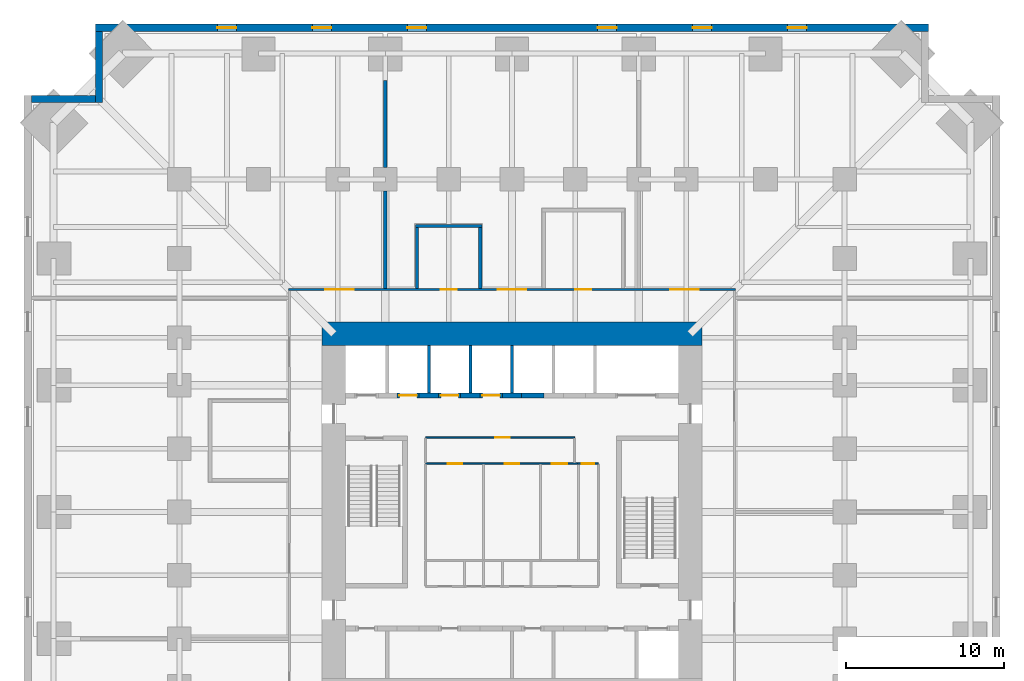
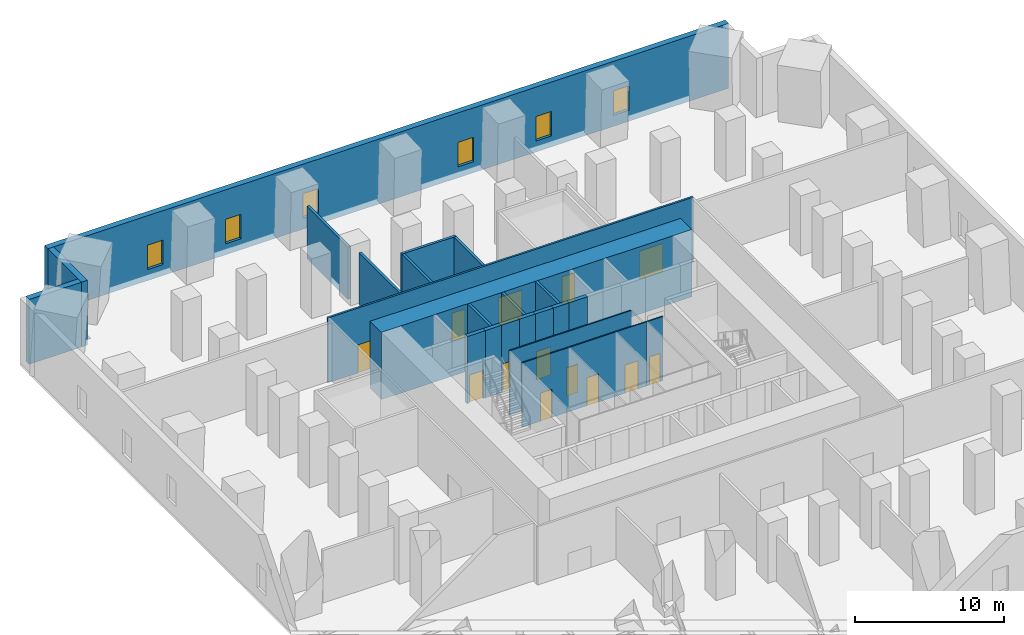
# One storey, part 6 of 8: 23 walls, 13 doors, 6 windows, 19 openings.
"""IFC4 building model written with IfcOpenShell, lengths in metres."""

import ifcopenshell
import ifcopenshell.guid

model = None  # the IFC model being written
_history = None  # IfcOwnerHistory: only IFC2X3 demands one
_inside = {}  # id of a spatial element -> (the spatial element, [elements in it])
_under = {}  # id of a project, library or spatial element -> (it, [spatial elements below it])
_declared = {}  # id of a project -> (the project, [libraries it declares])
_typed = {}  # id of a type object -> (the type object, [elements of that type])
_made_of = {}  # id of a material, layer set ... -> (it, [elements and type objects made of it])


def new_model(schema):
    """Start an empty IFC model of exactly this schema.

    Asked for "IFC4X3", IfcOpenShell would pick the latest addendum, in which some entities
    have other attributes; the version numbers below select the first issue.
    IFC2X3 requires an IfcOwnerHistory on every rooted entity: one is made here for all.
    """
    global model, _history
    if schema == "IFC4X3":
        model = ifcopenshell.file(schema_version=(4, 3, 0, 0))
    else:
        model = ifcopenshell.file(schema=schema)
    _inside.clear()
    _under.clear()
    _declared.clear()
    _typed.clear()
    _made_of.clear()
    _history = None
    if model.schema == "IFC2X3":
        org = make("IfcOrganization", Name="unknown")
        user = make(
            "IfcPersonAndOrganization",
            ThePerson=make("IfcPerson", FamilyName="unknown"),
            TheOrganization=org,
        )
        app = make(
            "IfcApplication",
            ApplicationDeveloper=org,
            Version="unknown",
            ApplicationFullName="unknown",
            ApplicationIdentifier="unknown",
        )
        _history = make(
            "IfcOwnerHistory",
            OwningUser=user,
            OwningApplication=app,
            ChangeAction="ADDED",
            CreationDate=0,
        )
    return model


def make(cls, **values):
    """One entity of the class cls with the attributes given. An attribute that is None is left unset."""
    return model.create_entity(
        cls, **{name: value for name, value in values.items() if value is not None}
    )


def rooted(cls, **values):
    """An entity with a GlobalId (a new one), such as an element, a storey or a relation."""
    return make(cls, GlobalId=ifcopenshell.guid.new(), OwnerHistory=_history, **values)


def si_unit(unit_type, name, prefix=None):
    """IfcSIUnit, for example si_unit("LENGTHUNIT", "METRE", prefix="MILLI")."""
    return make("IfcSIUnit", UnitType=unit_type, Prefix=prefix, Name=name)


def assignment(units):
    """IfcUnitAssignment: the units of a project."""
    return None if units is None else make("IfcUnitAssignment", Units=units)


def point(xyz):
    """IfcCartesianPoint."""
    return None if xyz is None else make("IfcCartesianPoint", Coordinates=xyz)


def direction(xyz):
    """IfcDirection."""
    return None if xyz is None else make("IfcDirection", DirectionRatios=xyz)


def frame(location, z_axis=None, x_axis=None):
    """IfcAxis2Placement3D, a coordinate frame: its origin and axes. An axis left out is left unset."""
    return make(
        "IfcAxis2Placement3D",
        Location=point(location),
        Axis=direction(z_axis),
        RefDirection=direction(x_axis),
    )


def frame_2d(location, x_axis=None):
    """IfcAxis2Placement2D, a coordinate frame in the plane: its origin and x axis."""
    return make(
        "IfcAxis2Placement2D", Location=point(location), RefDirection=direction(x_axis)
    )


def origin():
    """The frame at (0, 0, 0) with its axes left unset."""
    return frame((0.0, 0.0, 0.0))


def place(relative_to, where):
    """IfcLocalPlacement: puts the frame where relative to a parent placement (None: the world)."""
    return make(
        "IfcLocalPlacement", PlacementRelTo=relative_to, RelativePlacement=where
    )


def context(
    kind, dimensions, precision=None, world=None, true_north=None, identifier=None
):
    """IfcGeometricRepresentationContext, for example the 3D "Model" context."""
    return make(
        "IfcGeometricRepresentationContext",
        ContextIdentifier=identifier,
        ContextType=kind,
        CoordinateSpaceDimension=dimensions,
        Precision=precision,
        WorldCoordinateSystem=world,
        TrueNorth=true_north,
    )


def subcontext(parent, identifier, kind, view, scale=None):
    """IfcGeometricRepresentationSubContext, for example "Body" below "Model"."""
    return make(
        "IfcGeometricRepresentationSubContext",
        ContextIdentifier=identifier,
        ContextType=kind,
        ParentContext=parent,
        TargetScale=scale,
        TargetView=view,
    )


def project(units=None, contexts=None):
    """IfcProject with its units and contexts."""
    return rooted(
        "IfcProject",
        Name="project",
        RepresentationContexts=contexts,
        UnitsInContext=assignment(units),
    )


def spatial(cls, under=None, at=None, **own):
    """A site, building, storey or space (cls), placed at a placement, below another one or the project."""
    s = rooted(cls, ObjectPlacement=at, **own)
    if under is not None:
        _under.setdefault(under.id(), (under, []))[1].append(s)
    return s


def profile(cls, at=None, kind="AREA", **sizes):
    """A parametric profile (cls). Its sizes go by their IFC names, for example OverallWidth=200.0."""
    return make(cls, ProfileType=kind, Position=at, **sizes)


def rectangle(**sizes):
    """IfcRectangleProfileDef."""
    return profile("IfcRectangleProfileDef", **sizes)


def extrude(swept, where, along, depth):
    """IfcExtrudedAreaSolid: the profile swept, set in the frame where, extruded along a direction by depth."""
    return make(
        "IfcExtrudedAreaSolid",
        SweptArea=swept,
        Position=where,
        ExtrudedDirection=direction(along),
        Depth=depth,
    )


def shape(context_of_items, identifier, shape_type, items):
    """IfcShapeRepresentation: the items that make up one representation, for example the "Body"."""
    return make(
        "IfcShapeRepresentation",
        ContextOfItems=context_of_items,
        RepresentationIdentifier=identifier,
        RepresentationType=shape_type,
        Items=items,
    )


def material(Name=None, Category=None):
    """IfcMaterial."""
    return make("IfcMaterial", Name=Name, Category=Category)


def layer(
    of_material, thickness, ventilated=None, Name=None, Category=None, Priority=None
):
    """IfcMaterialLayer: one layer of a wall or slab, of a material (None: an air gap)."""
    return make(
        "IfcMaterialLayer",
        Material=of_material,
        LayerThickness=thickness,
        IsVentilated=ventilated,
        Name=Name,
        Category=Category,
        Priority=Priority,
    )


def layer_set(layers, Name=None):
    """IfcMaterialLayerSet."""
    return make("IfcMaterialLayerSet", MaterialLayers=layers, LayerSetName=Name)


def made_of(thing, what):
    """Note that an element or type object is made of a material, layer set ...; save() writes the relation."""
    if what is not None:
        _made_of.setdefault(what.id(), (what, []))[1].append(thing)
    return thing


def type_object(cls, material=None, **own):
    """A type object (cls), such as IfcWallType, which elements share."""
    return made_of(rooted(cls, **own), material)


def element(
    cls,
    number,
    at=None,
    inside=None,
    cuts=None,
    type_object=None,
    material=None,
    context=None,
    identifier="Body",
    shape_type=None,
    held_by="IfcProductDefinitionShape",
    body=None,
    shapes=None,
    **own,
):
    """One element of the class cls, such as IfcWall. Its Tag is "e" and its number.

    at: its placement. inside: the storey or other place that contains it. cuts: it is an
    opening in that element (IfcRelVoidsElement). A single representation is given by context,
    identifier, shape_type and body (its items); several are given by shapes. held_by: the class
    of the entity that holds the representations. save() writes the other relations.
    """
    e = rooted(cls, Tag="e%d" % number, ObjectPlacement=at, **own)
    if body is not None:
        shapes = [shape(context, identifier, shape_type, body)]
    if shapes is not None:
        e.Representation = make(held_by, Representations=shapes)
    if inside is not None:
        _inside.setdefault(inside.id(), (inside, []))[1].append(e)
    if cuts is not None:
        rooted(
            "IfcRelVoidsElement", RelatingBuildingElement=cuts, RelatedOpeningElement=e
        )
    if type_object is not None:
        _typed.setdefault(type_object.id(), (type_object, []))[1].append(e)
    return made_of(e, material)


def fill(opening, filler):
    """IfcRelFillsElement: the door or window that sits in an opening."""
    return rooted(
        "IfcRelFillsElement",
        RelatingOpeningElement=opening,
        RelatedBuildingElement=filler,
    )


def aggregate(whole, parts):
    """IfcRelAggregates: a whole, such as a stair, and the parts it consists of."""
    return rooted("IfcRelAggregates", RelatingObject=whole, RelatedObjects=parts)


def save(model, path):
    """Write the relations noted so far, then the file.

    IfcRelAggregates (storeys below a building ...), IfcRelContainedInSpatialStructure (elements
    in a storey), IfcRelDefinesByType, IfcRelAssociatesMaterial and IfcRelDeclares: one each for
    every whole, place, type object, material and project.
    """
    for whole, parts in _under.values():
        aggregate(whole, parts)
    for where, things in _inside.values():
        rooted(
            "IfcRelContainedInSpatialStructure",
            RelatedElements=things,
            RelatingStructure=where,
        )
    for kind, things in _typed.values():
        rooted("IfcRelDefinesByType", RelatedObjects=things, RelatingType=kind)
    for what, things in _made_of.values():
        rooted("IfcRelAssociatesMaterial", RelatedObjects=things, RelatingMaterial=what)
    for by, libraries in _declared.values():
        rooted("IfcRelDeclares", RelatingContext=by, RelatedDefinitions=libraries)
    model.write(path)


model = new_model("IFC4")

# Units and contexts
model_context = context("Model", 3, precision=1e-05, world=origin(), true_north=direction((0.0, 1.0)))
body_context = subcontext(model_context, "Body", "Model", "MODEL_VIEW")
ifc_project = project(units=[si_unit("LENGTHUNIT", "METRE"), si_unit("AREAUNIT", "SQUARE_METRE"), si_unit("VOLUMEUNIT", "CUBIC_METRE"), si_unit("PLANEANGLEUNIT", "RADIAN"), si_unit("MASSUNIT", "GRAM", prefix="KILO")], contexts=[model_context])

# Site, building, storey
site_placement = place(None, origin())
site = spatial("IfcSite", under=ifc_project, at=site_placement, CompositionType="ELEMENT")
building_placement = place(site_placement, origin())
building = spatial("IfcBuilding", under=site, at=building_placement, Name="Peilmerk Tower", CompositionType="ELEMENT")
storey_placement = place(building_placement, frame((0.0, 0.0, 48.5)))
storey = spatial("IfcBuildingStorey", under=building, at=storey_placement, Name="L09", CompositionType="ELEMENT", Elevation=48.5)

# Wall, openings, windows
ifc_material_1 = material(Name="Precast concrete C45/55, board-marked finish", Category="concrete")
ifc_layer_1 = layer(ifc_material_1, 0.449951171875)
ifc_layer_set_1 = layer_set([ifc_layer_1], Name="Precast concrete C45/55, board-marked finish")
wall_type_1 = type_object("IfcWallType", Name="EW1 450 precast concrete facade wall, board-marked", PredefinedType="SOLIDWALL", material=ifc_layer_set_1)
wall_1_placement = place(storey_placement, frame((26.300048828125, 30.574951171875, 0.0), z_axis=(0.0, 0.0, 1.0), x_axis=(-1.0, 0.0, 0.0)))
wall_1 = element("IfcWall", 1, at=wall_1_placement, inside=storey, type_object=wall_type_1, Name="Facade wall N L09", PredefinedType="SOLIDWALL", context=body_context, shape_type="SweptSolid", body=[
    extrude(rectangle(XDim=52.60009765625, YDim=0.449951171875, at=frame_2d((26.300048828125, 0.0))), origin(), (0.0, 0.0, 1.0), 5.300048828125),
])
opening_1_placement = place(wall_1_placement, frame((7.699951171875, 0.0, 0.89990234375)))
opening_1 = element("IfcOpeningElement", 2, at=opening_1_placement, cuts=wall_1, Name="Opening W2", PredefinedType="OPENING", context=body_context, shape_type="SweptSolid", body=[
    extrude(rectangle(XDim=1.199951171875, YDim=2.0, at=frame_2d((0.60009765625, 1.0))), frame((0.0, 0.23486328125, 0.0), z_axis=(0.0, -1.0, 0.0), x_axis=(1.0, 0.0, 0.0)), (0.0, 0.0, 1.0), 0.469970703125),
])
opening_2_placement = place(wall_1_placement, frame((13.699951171875, 0.0, 0.89990234375)))
opening_2 = element("IfcOpeningElement", 3, at=opening_2_placement, cuts=wall_1, Name="Opening W2", PredefinedType="OPENING", context=body_context, shape_type="SweptSolid", body=[
    extrude(rectangle(XDim=1.199951171875, YDim=2.0, at=frame_2d((0.60009765625, 1.0))), frame((0.0, 0.23486328125, 0.0), z_axis=(0.0, -1.0, 0.0), x_axis=(1.0, 0.0, 0.0)), (0.0, 0.0, 1.0), 0.469970703125),
])
opening_3_placement = place(wall_1_placement, frame((19.699951171875, 0.0, 0.89990234375)))
opening_3 = element("IfcOpeningElement", 4, at=opening_3_placement, cuts=wall_1, Name="Opening W2", PredefinedType="OPENING", context=body_context, shape_type="SweptSolid", body=[
    extrude(rectangle(XDim=1.199951171875, YDim=2.0, at=frame_2d((0.60009765625, 1.0))), frame((0.0, 0.23486328125, 0.0), z_axis=(0.0, -1.0, 0.0), x_axis=(1.0, 0.0, 0.0)), (0.0, 0.0, 1.0), 0.469970703125),
])
opening_4_placement = place(wall_1_placement, frame((31.699951171875, 0.0, 0.89990234375)))
opening_4 = element("IfcOpeningElement", 5, at=opening_4_placement, cuts=wall_1, Name="Opening W2", PredefinedType="OPENING", context=body_context, shape_type="SweptSolid", body=[
    extrude(rectangle(XDim=1.199951171875, YDim=2.0, at=frame_2d((0.60009765625, 1.0))), frame((0.0, 0.23486328125, 0.0), z_axis=(0.0, -1.0, 0.0), x_axis=(1.0, 0.0, 0.0)), (0.0, 0.0, 1.0), 0.469970703125),
])
opening_5_placement = place(wall_1_placement, frame((37.699951171875, 0.0, 0.89990234375)))
opening_5 = element("IfcOpeningElement", 6, at=opening_5_placement, cuts=wall_1, Name="Opening W2", PredefinedType="OPENING", context=body_context, shape_type="SweptSolid", body=[
    extrude(rectangle(XDim=1.199951171875, YDim=2.0, at=frame_2d((0.60009765625, 1.0))), frame((0.0, 0.23486328125, 0.0), z_axis=(0.0, -1.0, 0.0), x_axis=(1.0, 0.0, 0.0)), (0.0, 0.0, 1.0), 0.469970703125),
])
opening_6_placement = place(wall_1_placement, frame((43.699951171875, 0.0, 0.89990234375)))
opening_6 = element("IfcOpeningElement", 7, at=opening_6_placement, cuts=wall_1, Name="Opening W2", PredefinedType="OPENING", context=body_context, shape_type="SweptSolid", body=[
    extrude(rectangle(XDim=1.199951171875, YDim=2.0, at=frame_2d((0.60009765625, 1.0))), frame((0.0, 0.23486328125, 0.0), z_axis=(0.0, -1.0, 0.0), x_axis=(1.0, 0.0, 0.0)), (0.0, 0.0, 1.0), 0.469970703125),
])
ifc_material_2 = material(Name="Aluminium frame, clear double glazing", Category="aluminium")
window_type = type_object("IfcWindowType", Name="W2 1200x2000 data hall slot window", PartitioningType="SINGLE_PANEL", PredefinedType="WINDOW", material=ifc_material_2)
window_1_placement = place(opening_1_placement, origin())
window_1 = element("IfcWindow", 8, at=window_1_placement, inside=storey, type_object=window_type, Name="Window W2 L09", OverallHeight=2.0, OverallWidth=1.199951171875, PartitioningType="SINGLE_PANEL", PredefinedType="WINDOW", context=body_context, shape_type="SweptSolid", body=[
    extrude(rectangle(XDim=1.199951171875, YDim=2.0, at=frame_2d((0.60009765625, 1.0))), frame((0.0, 0.030029296875, 0.0), z_axis=(0.0, -1.0, 0.0), x_axis=(1.0, 0.0, 0.0)), (0.0, 0.0, 1.0), 0.06005859375),
])
fill(opening_1, window_1)
window_2_placement = place(opening_2_placement, origin())
window_2 = element("IfcWindow", 9, at=window_2_placement, inside=storey, type_object=window_type, Name="Window W2 L09", OverallHeight=2.0, OverallWidth=1.199951171875, PartitioningType="SINGLE_PANEL", PredefinedType="WINDOW", context=body_context, shape_type="SweptSolid", body=[
    extrude(rectangle(XDim=1.199951171875, YDim=2.0, at=frame_2d((0.60009765625, 1.0))), frame((0.0, 0.030029296875, 0.0), z_axis=(0.0, -1.0, 0.0), x_axis=(1.0, 0.0, 0.0)), (0.0, 0.0, 1.0), 0.06005859375),
])
fill(opening_2, window_2)
window_3_placement = place(opening_3_placement, origin())
window_3 = element("IfcWindow", 10, at=window_3_placement, inside=storey, type_object=window_type, Name="Window W2 L09", OverallHeight=2.0, OverallWidth=1.199951171875, PartitioningType="SINGLE_PANEL", PredefinedType="WINDOW", context=body_context, shape_type="SweptSolid", body=[
    extrude(rectangle(XDim=1.199951171875, YDim=2.0, at=frame_2d((0.60009765625, 1.0))), frame((0.0, 0.030029296875, 0.0), z_axis=(0.0, -1.0, 0.0), x_axis=(1.0, 0.0, 0.0)), (0.0, 0.0, 1.0), 0.06005859375),
])
fill(opening_3, window_3)
window_4_placement = place(opening_4_placement, origin())
window_4 = element("IfcWindow", 11, at=window_4_placement, inside=storey, type_object=window_type, Name="Window W2 L09", OverallHeight=2.0, OverallWidth=1.199951171875, PartitioningType="SINGLE_PANEL", PredefinedType="WINDOW", context=body_context, shape_type="SweptSolid", body=[
    extrude(rectangle(XDim=1.199951171875, YDim=2.0, at=frame_2d((0.60009765625, 1.0))), frame((0.0, 0.030029296875, 0.0), z_axis=(0.0, -1.0, 0.0), x_axis=(1.0, 0.0, 0.0)), (0.0, 0.0, 1.0), 0.06005859375),
])
fill(opening_4, window_4)
window_5_placement = place(opening_5_placement, origin())
window_5 = element("IfcWindow", 12, at=window_5_placement, inside=storey, type_object=window_type, Name="Window W2 L09", OverallHeight=2.0, OverallWidth=1.199951171875, PartitioningType="SINGLE_PANEL", PredefinedType="WINDOW", context=body_context, shape_type="SweptSolid", body=[
    extrude(rectangle(XDim=1.199951171875, YDim=2.0, at=frame_2d((0.60009765625, 1.0))), frame((0.0, 0.030029296875, 0.0), z_axis=(0.0, -1.0, 0.0), x_axis=(1.0, 0.0, 0.0)), (0.0, 0.0, 1.0), 0.06005859375),
])
fill(opening_5, window_5)
window_6_placement = place(opening_6_placement, origin())
window_6 = element("IfcWindow", 13, at=window_6_placement, inside=storey, type_object=window_type, Name="Window W2 L09", OverallHeight=2.0, OverallWidth=1.199951171875, PartitioningType="SINGLE_PANEL", PredefinedType="WINDOW", context=body_context, shape_type="SweptSolid", body=[
    extrude(rectangle(XDim=1.199951171875, YDim=2.0, at=frame_2d((0.60009765625, 1.0))), frame((0.0, 0.030029296875, 0.0), z_axis=(0.0, -1.0, 0.0), x_axis=(1.0, 0.0, 0.0)), (0.0, 0.0, 1.0), 0.06005859375),
])
fill(opening_6, window_6)

# Walls
wall_2_placement = place(storey_placement, frame((-26.074951171875, 25.85009765625, 0.0), z_axis=(0.0, 0.0, 1.0), x_axis=(0.0, 1.0, 0.0)))
element("IfcWall", 14, at=wall_2_placement, inside=storey, type_object=wall_type_1, Name="Facade wall NWA L09", PredefinedType="SOLIDWALL", context=body_context, shape_type="SweptSolid", body=[
    extrude(rectangle(XDim=4.5, YDim=0.449951171875, at=frame_2d((2.25, 0.0))), origin(), (0.0, 0.0, 1.0), 5.300048828125),
])
wall_3_placement = place(storey_placement, frame((-26.300048828125, 26.074951171875, 0.0), z_axis=(0.0, 0.0, 1.0), x_axis=(-1.0, 0.0, 0.0)))
element("IfcWall", 15, at=wall_3_placement, inside=storey, type_object=wall_type_1, Name="Facade wall NWB L09", PredefinedType="SOLIDWALL", context=body_context, shape_type="SweptSolid", body=[
    extrude(rectangle(XDim=4.050048828125, YDim=0.449951171875, at=frame_2d((2.02490234375, 0.0))), origin(), (0.0, 0.0, 1.0), 5.300048828125),
])

# Wall, openings, doors
ifc_material_3 = material(Name="Calcium silicate block", Category="masonry")
ifc_layer_2 = layer(ifc_material_3, 0.14990234375)
ifc_layer_set_2 = layer_set([ifc_layer_2], Name="Calcium silicate block")
wall_type_2 = type_object("IfcWallType", Name="IW1 150 corridor partition, EI 60", PredefinedType="PARTITIONING", material=ifc_layer_set_2)
wall_4_placement = place(storey_placement, frame((-14.125, 14.050048828125, 0.0), z_axis=(0.0, 0.0, 1.0), x_axis=(1.0, 0.0, 0.0)))
wall_4 = element("IfcWall", 16, at=wall_4_placement, inside=storey, type_object=wall_type_2, Name="Corridor wall N L09", PredefinedType="PARTITIONING", context=body_context, shape_type="SweptSolid", body=[
    extrude(rectangle(XDim=28.25, YDim=0.14990234375, at=frame_2d((14.125, 0.0))), origin(), (0.0, 0.0, 1.0), 5.300048828125),
])
opening_7_placement = place(wall_4_placement, frame((2.324951171875, 0.0, 0.0)))
opening_7 = element("IfcOpeningElement", 17, at=opening_7_placement, cuts=wall_4, Name="Opening D2", PredefinedType="OPENING", context=body_context, shape_type="SweptSolid", body=[
    extrude(rectangle(XDim=1.800048828125, YDim=2.300048828125, at=frame_2d((0.89990234375, 1.14990234375))), frame((0.0, 0.0849609375, 0.0), z_axis=(0.0, -1.0, 0.0), x_axis=(1.0, 0.0, 0.0)), (0.0, 0.0, 1.0), 0.169921875),
])
opening_8_placement = place(wall_4_placement, frame((13.22509765625, 0.0, 0.0)))
opening_8 = element("IfcOpeningElement", 18, at=opening_8_placement, cuts=wall_4, Name="Opening D2", PredefinedType="OPENING", context=body_context, shape_type="SweptSolid", body=[
    extrude(rectangle(XDim=1.800048828125, YDim=2.300048828125, at=frame_2d((0.89990234375, 1.14990234375))), frame((0.0, 0.0849609375, 0.0), z_axis=(0.0, -1.0, 0.0), x_axis=(1.0, 0.0, 0.0)), (0.0, 0.0, 1.0), 0.169921875),
])
opening_9_placement = place(wall_4_placement, frame((24.125, 0.0, 0.0)))
opening_9 = element("IfcOpeningElement", 19, at=opening_9_placement, cuts=wall_4, Name="Opening D2", PredefinedType="OPENING", context=body_context, shape_type="SweptSolid", body=[
    extrude(rectangle(XDim=1.800048828125, YDim=2.300048828125, at=frame_2d((0.89990234375, 1.14990234375))), frame((0.0, 0.0849609375, 0.0), z_axis=(0.0, -1.0, 0.0), x_axis=(1.0, 0.0, 0.0)), (0.0, 0.0, 1.0), 0.169921875),
])
opening_10_placement = place(wall_4_placement, frame((9.625, 0.0, 0.0)))
opening_10 = element("IfcOpeningElement", 20, at=opening_10_placement, cuts=wall_4, Name="Opening D1", PredefinedType="OPENING", context=body_context, shape_type="SweptSolid", body=[
    extrude(rectangle(XDim=1.0, YDim=2.300048828125, at=frame_2d((0.5, 1.14990234375))), frame((0.0, 0.0849609375, 0.0), z_axis=(0.0, -1.0, 0.0), x_axis=(1.0, 0.0, 0.0)), (0.0, 0.0, 1.0), 0.169921875),
])
opening_11_placement = place(wall_4_placement, frame((18.125, 0.0, 0.0)))
opening_11 = element("IfcOpeningElement", 21, at=opening_11_placement, cuts=wall_4, Name="Opening D1", PredefinedType="OPENING", context=body_context, shape_type="SweptSolid", body=[
    extrude(rectangle(XDim=1.0, YDim=2.300048828125, at=frame_2d((0.5, 1.14990234375))), frame((0.0, 0.0849609375, 0.0), z_axis=(0.0, -1.0, 0.0), x_axis=(1.0, 0.0, 0.0)), (0.0, 0.0, 1.0), 0.169921875),
])
ifc_material_4 = material(Name="Timber door in steel frame", Category="steel")
door_type_1 = type_object("IfcDoorType", Name="D1 1000x2300 room door, EI2 30", OperationType="SINGLE_SWING_LEFT", PredefinedType="DOOR", material=ifc_material_4)
door_1_placement = place(opening_10_placement, origin())
door_1 = element("IfcDoor", 22, at=door_1_placement, inside=storey, type_object=door_type_1, Name="Door Store L09", OperationType="SINGLE_SWING_LEFT", OverallHeight=2.300048828125, OverallWidth=1.0, PredefinedType="DOOR", context=body_context, shape_type="SweptSolid", body=[
    extrude(rectangle(XDim=1.0, YDim=2.300048828125, at=frame_2d((0.5, 1.14990234375))), frame((0.0, 0.02490234375, 0.0), z_axis=(0.0, -1.0, 0.0), x_axis=(1.0, 0.0, 0.0)), (0.0, 0.0, 1.0), 0.050048828125),
])
fill(opening_10, door_1)
door_2_placement = place(opening_11_placement, origin())
door_2 = element("IfcDoor", 23, at=door_2_placement, inside=storey, type_object=door_type_1, Name="Door Operations office L09", OperationType="SINGLE_SWING_LEFT", OverallHeight=2.300048828125, OverallWidth=1.0, PredefinedType="DOOR", context=body_context, shape_type="SweptSolid", body=[
    extrude(rectangle(XDim=1.0, YDim=2.300048828125, at=frame_2d((0.5, 1.14990234375))), frame((0.0, 0.02490234375, 0.0), z_axis=(0.0, -1.0, 0.0), x_axis=(1.0, 0.0, 0.0)), (0.0, 0.0, 1.0), 0.050048828125),
])
fill(opening_11, door_2)
ifc_material_5 = material(Name="Steel door in steel frame", Category="steel")
door_type_2 = type_object("IfcDoorType", Name="D2 1800x2300 double door, EI2 60", OperationType="DOUBLE_DOOR_DOUBLE_SWING", PredefinedType="DOOR", material=ifc_material_5)
door_3_placement = place(opening_7_placement, origin())
door_3 = element("IfcDoor", 24, at=door_3_placement, inside=storey, type_object=door_type_2, Name="Door Computer room A L09", OperationType="DOUBLE_DOOR_DOUBLE_SWING", OverallHeight=2.300048828125, OverallWidth=1.800048828125, PredefinedType="DOOR", context=body_context, shape_type="SweptSolid", body=[
    extrude(rectangle(XDim=1.800048828125, YDim=2.300048828125, at=frame_2d((0.89990234375, 1.14990234375))), frame((0.0, 0.02490234375, 0.0), z_axis=(0.0, -1.0, 0.0), x_axis=(1.0, 0.0, 0.0)), (0.0, 0.0, 1.0), 0.050048828125),
])
fill(opening_7, door_3)
door_4_placement = place(opening_8_placement, origin())
door_4 = element("IfcDoor", 25, at=door_4_placement, inside=storey, type_object=door_type_2, Name="Door Meet-me room A L09", OperationType="DOUBLE_DOOR_DOUBLE_SWING", OverallHeight=2.300048828125, OverallWidth=1.800048828125, PredefinedType="DOOR", context=body_context, shape_type="SweptSolid", body=[
    extrude(rectangle(XDim=1.800048828125, YDim=2.300048828125, at=frame_2d((0.89990234375, 1.14990234375))), frame((0.0, 0.02490234375, 0.0), z_axis=(0.0, -1.0, 0.0), x_axis=(1.0, 0.0, 0.0)), (0.0, 0.0, 1.0), 0.050048828125),
])
fill(opening_8, door_4)
door_5_placement = place(opening_9_placement, origin())
door_5 = element("IfcDoor", 26, at=door_5_placement, inside=storey, type_object=door_type_2, Name="Door Computer room B L09", OperationType="DOUBLE_DOOR_DOUBLE_SWING", OverallHeight=2.300048828125, OverallWidth=1.800048828125, PredefinedType="DOOR", context=body_context, shape_type="SweptSolid", body=[
    extrude(rectangle(XDim=1.800048828125, YDim=2.300048828125, at=frame_2d((0.89990234375, 1.14990234375))), frame((0.0, 0.02490234375, 0.0), z_axis=(0.0, -1.0, 0.0), x_axis=(1.0, 0.0, 0.0)), (0.0, 0.0, 1.0), 0.050048828125),
])
fill(opening_9, door_5)

# Walls
ifc_layer_3 = layer(ifc_material_3, 0.199951171875)
ifc_layer_set_3 = layer_set([ifc_layer_3], Name="Calcium silicate block")
wall_type_3 = type_object("IfcWallType", Name="IW2 200 room separating wall, EI 120", PredefinedType="PARTITIONING", material=ifc_layer_set_3)
wall_5_placement = place(storey_placement, frame((-8.0, 14.125, 0.0), z_axis=(0.0, 0.0, 1.0), x_axis=(0.0, 1.0, 0.0)))
element("IfcWall", 27, at=wall_5_placement, inside=storey, type_object=wall_type_3, Name="Room separating wall N1 L09", PredefinedType="PARTITIONING", context=body_context, shape_type="SweptSolid", body=[
    extrude(rectangle(XDim=6.125, YDim=0.199951171875, at=frame_2d((3.0625, 0.0))), origin(), (0.0, 0.0, 1.0), 4.73095703125),
])
wall_6_placement = place(storey_placement, frame((-8.0, 21.75, 0.0), z_axis=(0.0, 0.0, 1.0), x_axis=(0.0, 1.0, 0.0)))
element("IfcWall", 28, at=wall_6_placement, inside=storey, type_object=wall_type_3, Name="Room separating wall N1b L09", PredefinedType="PARTITIONING", context=body_context, shape_type="SweptSolid", body=[
    extrude(rectangle(XDim=5.484375, YDim=0.199951171875, at=frame_2d((2.7421875, 0.0))), origin(), (0.0, 0.0, 1.0), 4.2919921875),
])
wall_7_placement = place(storey_placement, frame((-6.10009765625, 18.050048828125, 0.0), z_axis=(0.0, 0.0, 1.0), x_axis=(1.0, 0.0, 0.0)))
element("IfcWall", 29, at=wall_7_placement, inside=storey, type_object=wall_type_3, Name="Room separating wall Store L09", PredefinedType="PARTITIONING", context=body_context, shape_type="SweptSolid", body=[
    extrude(rectangle(XDim=4.2001953125, YDim=0.199951171875, at=frame_2d((2.10009765625, 0.0))), origin(), (0.0, 0.0, 1.0), 5.300048828125),
])
for number, where, z_axis, x_axis, name in (
    (30, (-6.0, 14.125, 0.0), (0.0, 0.0, 1.0), (0.0, 1.0, 0.0), "Room separating wall Store L09"),
    (31, (-2.0, 14.125, 0.0), (0.0, 0.0, 1.0), (0.0, 1.0, 0.0), "Room separating wall Store L09"),
):
    element("IfcWall", number, at=place(storey_placement, frame(where, z_axis=z_axis, x_axis=x_axis)), inside=storey, type_object=wall_type_3, Name=name, PredefinedType="PARTITIONING", context=body_context, shape_type="SweptSolid", body=[
        extrude(rectangle(XDim=3.824951171875, YDim=0.199951171875, at=frame_2d((1.91259765625, 0.0))), origin(), (0.0, 0.0, 1.0), 5.300048828125),
    ])

# Wall, openings, doors
ifc_material_6 = material(Name="Plasterboard on steel studs", Category="steel")
ifc_layer_4 = layer(ifc_material_6, 0.10009765625)
ifc_layer_set_4 = layer_set([ifc_layer_4], Name="Plasterboard on steel studs")
wall_type_4 = type_object("IfcWallType", Name="IW4 100 WC partition", PredefinedType="PARTITIONING", material=ifc_layer_set_4)
wall_8_placement = place(storey_placement, frame((-5.449951171875, 3.050048828125, 0.0), z_axis=(0.0, 0.0, 1.0), x_axis=(1.0, 0.0, 0.0)))
wall_8 = element("IfcWall", 32, at=wall_8_placement, inside=storey, type_object=wall_type_4, Name="WC wall L09", PredefinedType="PARTITIONING", context=body_context, shape_type="SweptSolid", body=[
    extrude(rectangle(XDim=9.599853515625, YDim=0.10009765625, at=frame_2d((4.7998046875, 0.0))), origin(), (0.0, 0.0, 1.0), 5.25),
])
opening_12_placement = place(wall_8_placement, frame((1.39990234375, 0.0, 0.0)))
opening_12 = element("IfcOpeningElement", 33, at=opening_12_placement, cuts=wall_8, Name="Opening D5", PredefinedType="OPENING", context=body_context, shape_type="SweptSolid", body=[
    extrude(rectangle(XDim=0.89990234375, YDim=2.300048828125, at=frame_2d((0.449951171875, 1.14990234375))), frame((0.0, 0.06005859375, 0.0), z_axis=(0.0, -1.0, 0.0), x_axis=(1.0, 0.0, 0.0)), (0.0, 0.0, 1.0), 0.1201171875),
])
opening_13_placement = place(wall_8_placement, frame((5.0, 0.0, 0.0)))
opening_13 = element("IfcOpeningElement", 34, at=opening_13_placement, cuts=wall_8, Name="Opening D5", PredefinedType="OPENING", context=body_context, shape_type="SweptSolid", body=[
    extrude(rectangle(XDim=0.89990234375, YDim=2.300048828125, at=frame_2d((0.449951171875, 1.14990234375))), frame((0.0, 0.06005859375, 0.0), z_axis=(0.0, -1.0, 0.0), x_axis=(1.0, 0.0, 0.0)), (0.0, 0.0, 1.0), 0.1201171875),
])
opening_14_placement = place(wall_8_placement, frame((7.949951171875, 0.0, 0.0)))
opening_14 = element("IfcOpeningElement", 35, at=opening_14_placement, cuts=wall_8, Name="Opening D6", PredefinedType="OPENING", context=body_context, shape_type="SweptSolid", body=[
    extrude(rectangle(XDim=1.0, YDim=2.300048828125, at=frame_2d((0.5, 1.14990234375))), frame((0.0, 0.06005859375, 0.0), z_axis=(0.0, -1.0, 0.0), x_axis=(1.0, 0.0, 0.0)), (0.0, 0.0, 1.0), 0.1201171875),
])
door_type_3 = type_object("IfcDoorType", Name="D5 900x2300 WC door", OperationType="SINGLE_SWING_LEFT", PredefinedType="DOOR", material=ifc_material_4)
door_6_placement = place(opening_12_placement, frame((0.89990234375, 0.0, 0.0), z_axis=(0.0, 0.0, 1.0), x_axis=(-1.0, 0.0, 0.0)))
door_6 = element("IfcDoor", 36, at=door_6_placement, inside=storey, type_object=door_type_3, Name="Male toilets door L09", OperationType="SINGLE_SWING_LEFT", OverallHeight=2.300048828125, OverallWidth=0.89990234375, PredefinedType="DOOR", context=body_context, shape_type="SweptSolid", body=[
    extrude(rectangle(XDim=0.89990234375, YDim=2.300048828125, at=frame_2d((0.449951171875, 1.14990234375))), frame((0.0, 0.02490234375, 0.0), z_axis=(0.0, -1.0, 0.0), x_axis=(1.0, 0.0, 0.0)), (0.0, 0.0, 1.0), 0.050048828125),
])
fill(opening_12, door_6)
door_7_placement = place(opening_13_placement, frame((0.89990234375, 0.0, 0.0), z_axis=(0.0, 0.0, 1.0), x_axis=(-1.0, 0.0, 0.0)))
door_7 = element("IfcDoor", 37, at=door_7_placement, inside=storey, type_object=door_type_3, Name="Female toilets door L09", OperationType="SINGLE_SWING_LEFT", OverallHeight=2.300048828125, OverallWidth=0.89990234375, PredefinedType="DOOR", context=body_context, shape_type="SweptSolid", body=[
    extrude(rectangle(XDim=0.89990234375, YDim=2.300048828125, at=frame_2d((0.449951171875, 1.14990234375))), frame((0.0, 0.02490234375, 0.0), z_axis=(0.0, -1.0, 0.0), x_axis=(1.0, 0.0, 0.0)), (0.0, 0.0, 1.0), 0.050048828125),
])
fill(opening_13, door_7)
door_type_4 = type_object("IfcDoorType", Name="D6 1000x2300 accessible WC door", OperationType="SLIDING_TO_LEFT", PredefinedType="DOOR", material=ifc_material_4)
door_8_placement = place(opening_14_placement, frame((1.0, 0.0, 0.0), z_axis=(0.0, 0.0, 1.0), x_axis=(-1.0, 0.0, 0.0)))
door_8 = element("IfcDoor", 38, at=door_8_placement, inside=storey, type_object=door_type_4, Name="Accessible WC door L09", OperationType="SLIDING_TO_LEFT", OverallHeight=2.300048828125, OverallWidth=1.0, PredefinedType="DOOR", context=body_context, shape_type="SweptSolid", body=[
    extrude(rectangle(XDim=1.0, YDim=2.300048828125, at=frame_2d((0.5, 1.14990234375))), frame((0.0, 0.02490234375, 0.0), z_axis=(0.0, -1.0, 0.0), x_axis=(1.0, 0.0, 0.0)), (0.0, 0.0, 1.0), 0.050048828125),
])
fill(opening_14, door_8)

# Wall, opening, door
ifc_material_7 = material(Name="Calcium silicate board on steel studs", Category="steel")
ifc_layer_5 = layer(ifc_material_7, 0.10009765625)
ifc_layer_set_5 = layer_set([ifc_layer_5], Name="Calcium silicate board on steel studs")
wall_type_5 = type_object("IfcWallType", Name="IW5 100 riser enclosure wall, EI 60", PredefinedType="PARTITIONING", material=ifc_layer_set_5)
wall_9_placement = place(storey_placement, frame((4.14990234375, 3.050048828125, 0.0), z_axis=(0.0, 0.0, 1.0), x_axis=(1.0, 0.0, 0.0)))
wall_9 = element("IfcWall", 39, at=wall_9_placement, inside=storey, type_object=wall_type_5, Name="Riser wall L09", PredefinedType="PARTITIONING", context=body_context, shape_type="SweptSolid", body=[
    extrude(rectangle(XDim=1.300048828125, YDim=0.10009765625, at=frame_2d((0.64990234375, 0.0))), origin(), (0.0, 0.0, 1.0), 5.25),
])
opening_15_placement = place(wall_9_placement, frame((0.25, 0.0, 0.0)))
opening_15 = element("IfcOpeningElement", 40, at=opening_15_placement, cuts=wall_9, Name="Opening D7", PredefinedType="OPENING", context=body_context, shape_type="SweptSolid", body=[
    extrude(rectangle(XDim=0.800048828125, YDim=2.300048828125, at=frame_2d((0.39990234375, 1.14990234375))), frame((0.0, 0.06005859375, 0.0), z_axis=(0.0, -1.0, 0.0), x_axis=(1.0, 0.0, 0.0)), (0.0, 0.0, 1.0), 0.1201171875),
])
door_type_5 = type_object("IfcDoorType", Name="D7 800x2300 riser access door, EI2 60", OperationType="SINGLE_SWING_RIGHT", PredefinedType="DOOR", material=ifc_material_5)
door_9_placement = place(opening_15_placement, frame((0.800048828125, 0.0, 0.0), z_axis=(0.0, 0.0, 1.0), x_axis=(-1.0, 0.0, 0.0)))
door_9 = element("IfcDoor", 41, at=door_9_placement, inside=storey, type_object=door_type_5, Name="Plumbing riser door L09", OperationType="SINGLE_SWING_RIGHT", OverallHeight=2.300048828125, OverallWidth=0.800048828125, PredefinedType="DOOR", context=body_context, shape_type="SweptSolid", body=[
    extrude(rectangle(XDim=0.800048828125, YDim=2.300048828125, at=frame_2d((0.39990234375, 1.14990234375))), frame((0.0, 0.02490234375, 0.0), z_axis=(0.0, -1.0, 0.0), x_axis=(1.0, 0.0, 0.0)), (0.0, 0.0, 1.0), 0.050048828125),
])
fill(opening_15, door_9)

ifc_material_8 = material(Name="Fire-resisting plasterboard on steel studs", Category="steel")
ifc_layer_6 = layer(ifc_material_8, 0.10009765625)
ifc_layer_set_6 = layer_set([ifc_layer_6], Name="Fire-resisting plasterboard on steel studs")
wall_type_6 = type_object("IfcWallType", Name="IW9 100 WC lobby wall, EI 30", PredefinedType="PARTITIONING", material=ifc_layer_set_6)
wall_10_placement = place(storey_placement, frame((-5.449951171875, 4.699951171875, 0.0), z_axis=(0.0, 0.0, 1.0), x_axis=(1.0, 0.0, 0.0)))
wall_10 = element("IfcWall", 42, at=wall_10_placement, inside=storey, type_object=wall_type_6, Name="WC lobby wall L09", PredefinedType="PARTITIONING", context=body_context, shape_type="SweptSolid", body=[
    extrude(rectangle(XDim=9.39990234375, YDim=0.10009765625, at=frame_2d((4.699951171875, 0.0))), origin(), (0.0, 0.0, 1.0), 5.25),
])
opening_16_placement = place(wall_10_placement, frame((4.39990234375, 0.0, 0.0)))
opening_16 = element("IfcOpeningElement", 43, at=opening_16_placement, cuts=wall_10, Name="Opening D11", PredefinedType="OPENING", context=body_context, shape_type="SweptSolid", body=[
    extrude(rectangle(XDim=0.89990234375, YDim=2.300048828125, at=frame_2d((0.449951171875, 1.14990234375))), frame((0.0, 0.06005859375, 0.0), z_axis=(0.0, -1.0, 0.0), x_axis=(1.0, 0.0, 0.0)), (0.0, 0.0, 1.0), 0.1201171875),
])
door_type_6 = type_object("IfcDoorType", Name="D11 900x2300 WC lobby door, EI2 30", OperationType="SINGLE_SWING_LEFT", PredefinedType="DOOR", material=ifc_material_4)
door_10_placement = place(opening_16_placement, frame((0.89990234375, 0.0, 0.0), z_axis=(0.0, 0.0, 1.0), x_axis=(-1.0, 0.0, 0.0)))
door_10 = element("IfcDoor", 44, at=door_10_placement, inside=storey, type_object=door_type_6, Name="WC lobby door L09", OperationType="SINGLE_SWING_LEFT", OverallHeight=2.300048828125, OverallWidth=0.89990234375, PredefinedType="DOOR", context=body_context, shape_type="SweptSolid", body=[
    extrude(rectangle(XDim=0.89990234375, YDim=2.300048828125, at=frame_2d((0.449951171875, 1.14990234375))), frame((0.0, 0.02490234375, 0.0), z_axis=(0.0, -1.0, 0.0), x_axis=(1.0, 0.0, 0.0)), (0.0, 0.0, 1.0), 0.050048828125),
])
fill(opening_16, door_10)

# Walls
ifc_layer_7 = layer(ifc_material_3, 0.199951171875)
ifc_layer_set_7 = layer_set([ifc_layer_7], Name="Calcium silicate block")
wall_type_7 = type_object("IfcWallType", Name="SH1 200 shaft dividing wall, EI 120", PredefinedType="PARTITIONING", material=ifc_layer_set_7)
for number, where, z_axis, x_axis, name in (
    (45, (-5.25, 7.5, 0.0), (0.0, 0.0, 1.0), (0.0, 1.0, 0.0), "Shaft wall N A1 L09"),
    (46, (-2.625, 7.5, 0.0), (0.0, 0.0, 1.0), (0.0, 1.0, 0.0), "Shaft wall N A2 L09"),
    (47, (0.0, 7.5, 0.0), (0.0, 0.0, 1.0), (0.0, 1.0, 0.0), "Shaft wall N A3 L09"),
):
    element("IfcWall", number, at=place(storey_placement, frame(where, z_axis=z_axis, x_axis=x_axis)), inside=storey, type_object=wall_type_7, Name=name, PredefinedType="PARTITIONING", context=body_context, shape_type="SweptSolid", body=[
        extrude(rectangle(XDim=3.0, YDim=0.199951171875, at=frame_2d((1.5, 0.0))), origin(), (0.0, 0.0, 1.0), 5.5),
    ])

# Wall, opening, door
ifc_layer_8 = layer(ifc_material_3, 0.300048828125)
ifc_layer_set_8 = layer_set([ifc_layer_8], Name="Calcium silicate block")
wall_type_8 = type_object("IfcWallType", Name="SH2 300 lift landing door panel, EI 120", PredefinedType="PARTITIONING", material=ifc_layer_set_8)
wall_11_placement = place(storey_placement, frame((-7.262451171875, 7.35009765625, 0.0), z_axis=(0.0, 0.0, 1.0), x_axis=(1.0, 0.0, 0.0)))
wall_11 = element("IfcWall", 48, at=wall_11_placement, inside=storey, type_object=wall_type_8, Name="Lift door panel N A1 L09", PredefinedType="PARTITIONING", context=body_context, shape_type="SweptSolid", body=[
    extrude(rectangle(XDim=1.39990234375, YDim=0.300048828125, at=frame_2d((0.699951171875, 0.0))), origin(), (0.0, 0.0, 1.0), 5.5),
])
opening_17_placement = place(wall_11_placement, frame((0.14990234375, 0.0, 0.0)))
opening_17 = element("IfcOpeningElement", 49, at=opening_17_placement, cuts=wall_11, Name="Opening LD1", PredefinedType="OPENING", context=body_context, shape_type="SweptSolid", body=[
    extrude(rectangle(XDim=1.10009765625, YDim=2.300048828125, at=frame_2d((0.550048828125, 1.14990234375))), frame((0.0, 0.159912109375, 0.0), z_axis=(0.0, -1.0, 0.0), x_axis=(1.0, 0.0, 0.0)), (0.0, 0.0, 1.0), 0.320068359375),
])
ifc_material_9 = material(Name="Stainless steel landing door", Category="steel")
door_type_7 = type_object("IfcDoorType", Name="LD1 1100x2300 lift landing door, sliding, EI2 60", OperationType="SLIDING_TO_LEFT", PredefinedType="DOOR", material=ifc_material_9)
door_11_placement = place(opening_17_placement, frame((1.10009765625, 0.0, 0.0), z_axis=(0.0, 0.0, 1.0), x_axis=(-1.0, 0.0, 0.0)))
door_11 = element("IfcDoor", 50, at=door_11_placement, inside=storey, type_object=door_type_7, Name="Lift landing door A1 L09", OperationType="SLIDING_TO_LEFT", OverallHeight=2.300048828125, OverallWidth=1.10009765625, PredefinedType="DOOR", context=body_context, shape_type="SweptSolid", body=[
    extrude(rectangle(XDim=1.10009765625, YDim=2.300048828125, at=frame_2d((0.550048828125, 1.14990234375))), frame((0.0, 0.02490234375, 0.0), z_axis=(0.0, -1.0, 0.0), x_axis=(1.0, 0.0, 0.0)), (0.0, 0.0, 1.0), 0.050048828125),
])
fill(opening_17, door_11)

wall_12_placement = place(storey_placement, frame((-4.637451171875, 7.35009765625, 0.0), z_axis=(0.0, 0.0, 1.0), x_axis=(1.0, 0.0, 0.0)))
wall_12 = element("IfcWall", 51, at=wall_12_placement, inside=storey, type_object=wall_type_8, Name="Lift door panel N A2 L09", PredefinedType="PARTITIONING", context=body_context, shape_type="SweptSolid", body=[
    extrude(rectangle(XDim=1.39990234375, YDim=0.300048828125, at=frame_2d((0.699951171875, 0.0))), origin(), (0.0, 0.0, 1.0), 5.5),
])
opening_18_placement = place(wall_12_placement, frame((0.14990234375, 0.0, 0.0)))
opening_18 = element("IfcOpeningElement", 52, at=opening_18_placement, cuts=wall_12, Name="Opening LD1", PredefinedType="OPENING", context=body_context, shape_type="SweptSolid", body=[
    extrude(rectangle(XDim=1.10009765625, YDim=2.300048828125, at=frame_2d((0.550048828125, 1.14990234375))), frame((0.0, 0.159912109375, 0.0), z_axis=(0.0, -1.0, 0.0), x_axis=(1.0, 0.0, 0.0)), (0.0, 0.0, 1.0), 0.320068359375),
])
door_12_placement = place(opening_18_placement, frame((1.10009765625, 0.0, 0.0), z_axis=(0.0, 0.0, 1.0), x_axis=(-1.0, 0.0, 0.0)))
door_12 = element("IfcDoor", 53, at=door_12_placement, inside=storey, type_object=door_type_7, Name="Lift landing door A2 L09", OperationType="SLIDING_TO_LEFT", OverallHeight=2.300048828125, OverallWidth=1.10009765625, PredefinedType="DOOR", context=body_context, shape_type="SweptSolid", body=[
    extrude(rectangle(XDim=1.10009765625, YDim=2.300048828125, at=frame_2d((0.550048828125, 1.14990234375))), frame((0.0, 0.02490234375, 0.0), z_axis=(0.0, -1.0, 0.0), x_axis=(1.0, 0.0, 0.0)), (0.0, 0.0, 1.0), 0.050048828125),
])
fill(opening_18, door_12)

wall_13_placement = place(storey_placement, frame((-2.012451171875, 7.35009765625, 0.0), z_axis=(0.0, 0.0, 1.0), x_axis=(1.0, 0.0, 0.0)))
wall_13 = element("IfcWall", 54, at=wall_13_placement, inside=storey, type_object=wall_type_8, Name="Lift door panel N A3 L09", PredefinedType="PARTITIONING", context=body_context, shape_type="SweptSolid", body=[
    extrude(rectangle(XDim=1.39990234375, YDim=0.300048828125, at=frame_2d((0.699951171875, 0.0))), origin(), (0.0, 0.0, 1.0), 5.5),
])
opening_19_placement = place(wall_13_placement, frame((0.14990234375, 0.0, 0.0)))
opening_19 = element("IfcOpeningElement", 55, at=opening_19_placement, cuts=wall_13, Name="Opening LD1", PredefinedType="OPENING", context=body_context, shape_type="SweptSolid", body=[
    extrude(rectangle(XDim=1.10009765625, YDim=2.300048828125, at=frame_2d((0.550048828125, 1.14990234375))), frame((0.0, 0.159912109375, 0.0), z_axis=(0.0, -1.0, 0.0), x_axis=(1.0, 0.0, 0.0)), (0.0, 0.0, 1.0), 0.320068359375),
])
door_13_placement = place(opening_19_placement, frame((1.10009765625, 0.0, 0.0), z_axis=(0.0, 0.0, 1.0), x_axis=(-1.0, 0.0, 0.0)))
door_13 = element("IfcDoor", 56, at=door_13_placement, inside=storey, type_object=door_type_7, Name="Lift landing door A3 L09", OperationType="SLIDING_TO_LEFT", OverallHeight=2.300048828125, OverallWidth=1.10009765625, PredefinedType="DOOR", context=body_context, shape_type="SweptSolid", body=[
    extrude(rectangle(XDim=1.10009765625, YDim=2.300048828125, at=frame_2d((0.550048828125, 1.14990234375))), frame((0.0, 0.02490234375, 0.0), z_axis=(0.0, -1.0, 0.0), x_axis=(1.0, 0.0, 0.0)), (0.0, 0.0, 1.0), 0.050048828125),
])
fill(opening_19, door_13)

# Walls
wall_14_placement = place(storey_placement, frame((0.612548828125, 7.35009765625, 0.0), z_axis=(0.0, 0.0, 1.0), x_axis=(1.0, 0.0, 0.0)))
element("IfcWall", 57, at=wall_14_placement, inside=storey, type_object=wall_type_8, Name="Lift door panel N S1 L09", PredefinedType="PARTITIONING", context=body_context, shape_type="SweptSolid", body=[
    extrude(rectangle(XDim=1.39990234375, YDim=0.300048828125, at=frame_2d((0.699951171875, 0.0))), origin(), (0.0, 0.0, 1.0), 5.5),
])
ifc_material_10 = material(Name="Concrete C55/67", Category="concrete")
ifc_layer_9 = layer(ifc_material_10, 1.5)
ifc_layer_set_9 = layer_set([ifc_layer_9], Name="Concrete C55/67")
wall_type_9 = type_object("IfcWallType", Name="SW1 1500 core wall", PredefinedType="SHEAR", material=ifc_layer_set_9)
wall_15_placement = place(storey_placement, frame((-12.0, 11.25, 0.0), z_axis=(0.0, 0.0, 1.0), x_axis=(1.0, 0.0, 0.0)))
element("IfcWall", 58, at=wall_15_placement, inside=storey, type_object=wall_type_9, Name="Core wall N L09", PredefinedType="SHEAR", context=body_context, shape_type="SweptSolid", body=[
    extrude(rectangle(XDim=24.0, YDim=1.5, at=frame_2d((12.0, 0.0))), origin(), (0.0, 0.0, 1.0), 5.5),
])
ifc_layer_10 = layer(ifc_material_10, 0.300048828125)
ifc_layer_set_10 = layer_set([ifc_layer_10], Name="Concrete C55/67")
wall_type_10 = type_object("IfcWallType", Name="SW2 300 lift bank pier", PredefinedType="SHEAR", material=ifc_layer_set_10)
for number, where, z_axis, x_axis, name in (
    (59, (-5.862548828125, 7.35009765625, 0.0), (0.0, 0.0, 1.0), (1.0, 0.0, 0.0), "Lift bank pier N L09"),
    (60, (-3.237548828125, 7.35009765625, 0.0), (0.0, 0.0, 1.0), (1.0, 0.0, 0.0), "Lift bank pier N L09"),
    (61, (-0.612548828125, 7.35009765625, 0.0), (0.0, 0.0, 1.0), (1.0, 0.0, 0.0), "Lift bank pier N L09"),
):
    element("IfcWall", number, at=place(storey_placement, frame(where, z_axis=z_axis, x_axis=x_axis)), inside=storey, type_object=wall_type_10, Name=name, PredefinedType="SHEAR", context=body_context, shape_type="SweptSolid", body=[
        extrude(rectangle(XDim=1.22509765625, YDim=0.300048828125, at=frame_2d((0.612548828125, 0.0))), origin(), (0.0, 0.0, 1.0), 5.5),
    ])

save(model, "model.ifc")
